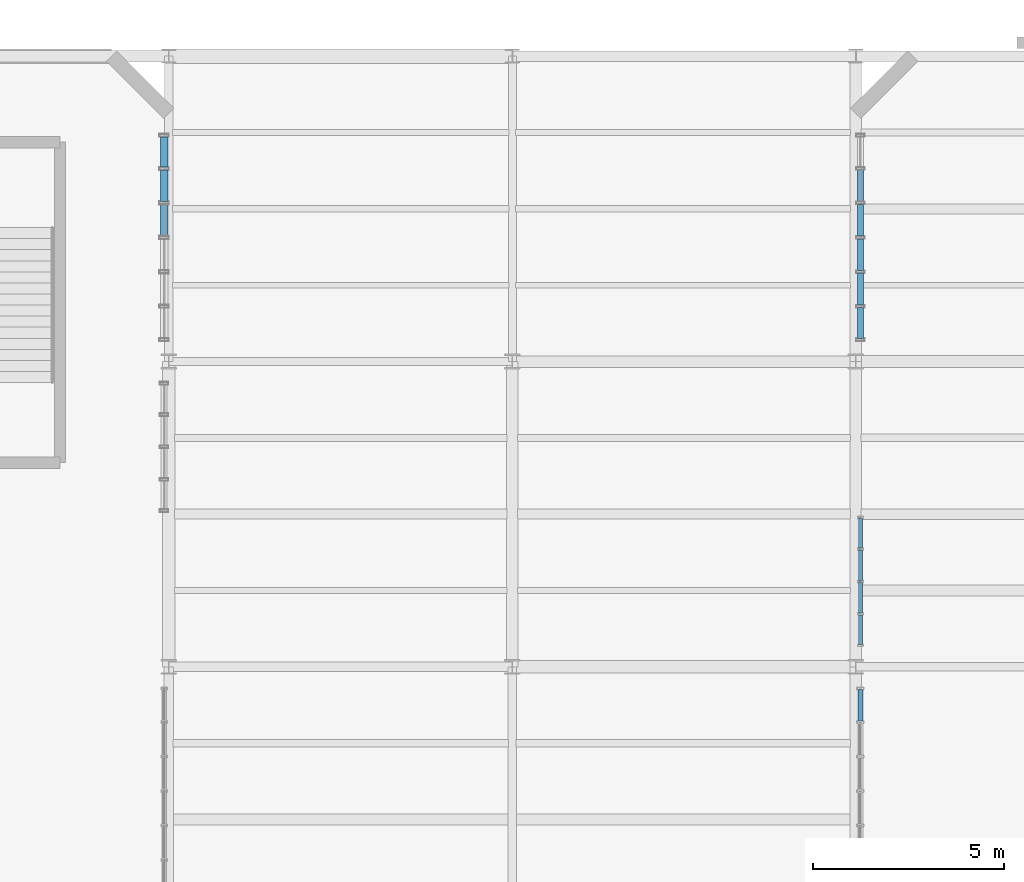
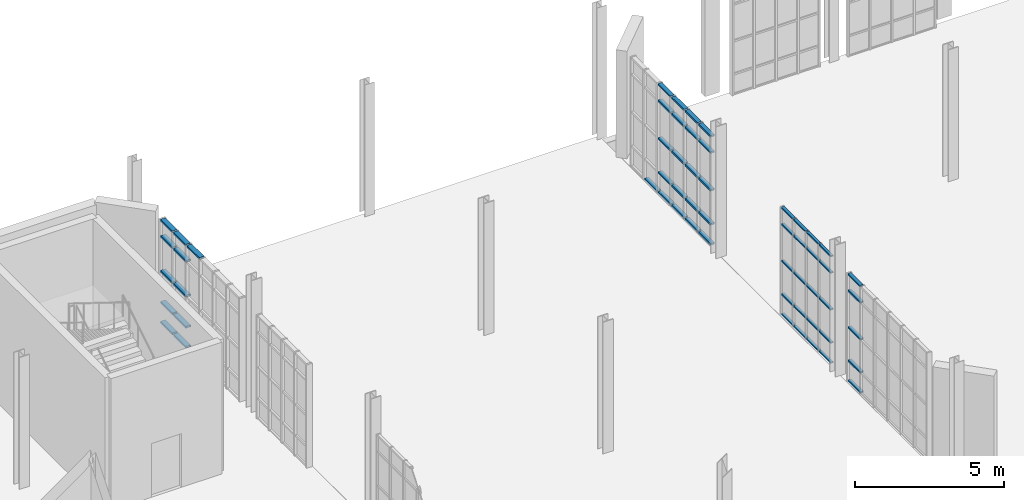
# One storey, part 136 of 189: 57 members, 4 elements without a shape of their own.
"""IFC4 building model written with IfcOpenShell, lengths in metres."""

import ifcopenshell
import ifcopenshell.guid

model = None  # the IFC model being written
_history = None  # IfcOwnerHistory: only IFC2X3 demands one
_inside = {}  # id of a spatial element -> (the spatial element, [elements in it])
_under = {}  # id of a project, library or spatial element -> (it, [spatial elements below it])
_declared = {}  # id of a project -> (the project, [libraries it declares])
_typed = {}  # id of a type object -> (the type object, [elements of that type])
_made_of = {}  # id of a material, layer set ... -> (it, [elements and type objects made of it])


def new_model(schema):
    """Start an empty IFC model of exactly this schema.

    Asked for "IFC4X3", IfcOpenShell would pick the latest addendum, in which some entities
    have other attributes; the version numbers below select the first issue.
    IFC2X3 requires an IfcOwnerHistory on every rooted entity: one is made here for all.
    """
    global model, _history
    if schema == "IFC4X3":
        model = ifcopenshell.file(schema_version=(4, 3, 0, 0))
    else:
        model = ifcopenshell.file(schema=schema)
    _inside.clear()
    _under.clear()
    _declared.clear()
    _typed.clear()
    _made_of.clear()
    _history = None
    if model.schema == "IFC2X3":
        org = make("IfcOrganization", Name="unknown")
        user = make(
            "IfcPersonAndOrganization",
            ThePerson=make("IfcPerson", FamilyName="unknown"),
            TheOrganization=org,
        )
        app = make(
            "IfcApplication",
            ApplicationDeveloper=org,
            Version="unknown",
            ApplicationFullName="unknown",
            ApplicationIdentifier="unknown",
        )
        _history = make(
            "IfcOwnerHistory",
            OwningUser=user,
            OwningApplication=app,
            ChangeAction="ADDED",
            CreationDate=0,
        )
    return model


def make(cls, **values):
    """One entity of the class cls with the attributes given. An attribute that is None is left unset."""
    return model.create_entity(
        cls, **{name: value for name, value in values.items() if value is not None}
    )


def rooted(cls, **values):
    """An entity with a GlobalId (a new one), such as an element, a storey or a relation."""
    return make(cls, GlobalId=ifcopenshell.guid.new(), OwnerHistory=_history, **values)


def si_unit(unit_type, name, prefix=None):
    """IfcSIUnit, for example si_unit("LENGTHUNIT", "METRE", prefix="MILLI")."""
    return make("IfcSIUnit", UnitType=unit_type, Prefix=prefix, Name=name)


def assignment(units):
    """IfcUnitAssignment: the units of a project."""
    return None if units is None else make("IfcUnitAssignment", Units=units)


def point(xyz):
    """IfcCartesianPoint."""
    return None if xyz is None else make("IfcCartesianPoint", Coordinates=xyz)


def direction(xyz):
    """IfcDirection."""
    return None if xyz is None else make("IfcDirection", DirectionRatios=xyz)


def frame(location, z_axis=None, x_axis=None):
    """IfcAxis2Placement3D, a coordinate frame: its origin and axes. An axis left out is left unset."""
    return make(
        "IfcAxis2Placement3D",
        Location=point(location),
        Axis=direction(z_axis),
        RefDirection=direction(x_axis),
    )


def frame_2d(location, x_axis=None):
    """IfcAxis2Placement2D, a coordinate frame in the plane: its origin and x axis."""
    return make(
        "IfcAxis2Placement2D", Location=point(location), RefDirection=direction(x_axis)
    )


def origin():
    """The frame at (0, 0, 0) with its axes left unset."""
    return frame((0.0, 0.0, 0.0))


def origin_2d():
    """The frame at (0, 0) in the plane with its x axis left unset."""
    return frame_2d((0.0, 0.0))


def place(relative_to, where):
    """IfcLocalPlacement: puts the frame where relative to a parent placement (None: the world)."""
    return make(
        "IfcLocalPlacement", PlacementRelTo=relative_to, RelativePlacement=where
    )


def context(
    kind, dimensions, precision=None, world=None, true_north=None, identifier=None
):
    """IfcGeometricRepresentationContext, for example the 3D "Model" context."""
    return make(
        "IfcGeometricRepresentationContext",
        ContextIdentifier=identifier,
        ContextType=kind,
        CoordinateSpaceDimension=dimensions,
        Precision=precision,
        WorldCoordinateSystem=world,
        TrueNorth=true_north,
    )


def subcontext(parent, identifier, kind, view, scale=None):
    """IfcGeometricRepresentationSubContext, for example "Body" below "Model"."""
    return make(
        "IfcGeometricRepresentationSubContext",
        ContextIdentifier=identifier,
        ContextType=kind,
        ParentContext=parent,
        TargetScale=scale,
        TargetView=view,
    )


def project(units=None, contexts=None):
    """IfcProject with its units and contexts."""
    return rooted(
        "IfcProject",
        Name="project",
        RepresentationContexts=contexts,
        UnitsInContext=assignment(units),
    )


def spatial(cls, under=None, at=None, **own):
    """A site, building, storey or space (cls), placed at a placement, below another one or the project."""
    s = rooted(cls, ObjectPlacement=at, **own)
    if under is not None:
        _under.setdefault(under.id(), (under, []))[1].append(s)
    return s


def profile(cls, at=None, kind="AREA", **sizes):
    """A parametric profile (cls). Its sizes go by their IFC names, for example OverallWidth=200.0."""
    return make(cls, ProfileType=kind, Position=at, **sizes)


def hollow_rectangle(**sizes):
    """IfcRectangleHollowProfileDef."""
    return profile("IfcRectangleHollowProfileDef", **sizes)


def extrude(swept, where, along, depth):
    """IfcExtrudedAreaSolid: the profile swept, set in the frame where, extruded along a direction by depth."""
    return make(
        "IfcExtrudedAreaSolid",
        SweptArea=swept,
        Position=where,
        ExtrudedDirection=direction(along),
        Depth=depth,
    )


def shape(context_of_items, identifier, shape_type, items):
    """IfcShapeRepresentation: the items that make up one representation, for example the "Body"."""
    return make(
        "IfcShapeRepresentation",
        ContextOfItems=context_of_items,
        RepresentationIdentifier=identifier,
        RepresentationType=shape_type,
        Items=items,
    )


def material(Name=None, Category=None):
    """IfcMaterial."""
    return make("IfcMaterial", Name=Name, Category=Category)


def layer(
    of_material, thickness, ventilated=None, Name=None, Category=None, Priority=None
):
    """IfcMaterialLayer: one layer of a wall or slab, of a material (None: an air gap)."""
    return make(
        "IfcMaterialLayer",
        Material=of_material,
        LayerThickness=thickness,
        IsVentilated=ventilated,
        Name=Name,
        Category=Category,
        Priority=Priority,
    )


def layer_set(layers, Name=None):
    """IfcMaterialLayerSet."""
    return make("IfcMaterialLayerSet", MaterialLayers=layers, LayerSetName=Name)


def material_profile(
    of_material, cross_section, Name=None, Category=None, Priority=None
):
    """IfcMaterialProfile: a cross section and its material."""
    return make(
        "IfcMaterialProfile",
        Name=Name,
        Material=of_material,
        Profile=cross_section,
        Priority=Priority,
        Category=Category,
    )


def profile_set(profiles, Name=None, composite=None):
    """IfcMaterialProfileSet."""
    return make(
        "IfcMaterialProfileSet",
        Name=Name,
        MaterialProfiles=profiles,
        CompositeProfile=composite,
    )


def made_of(thing, what):
    """Note that an element or type object is made of a material, layer set ...; save() writes the relation."""
    if what is not None:
        _made_of.setdefault(what.id(), (what, []))[1].append(thing)
    return thing


def type_object(cls, material=None, **own):
    """A type object (cls), such as IfcWallType, which elements share."""
    return made_of(rooted(cls, **own), material)


def element(
    cls,
    number,
    at=None,
    inside=None,
    cuts=None,
    type_object=None,
    material=None,
    context=None,
    identifier="Body",
    shape_type=None,
    held_by="IfcProductDefinitionShape",
    body=None,
    shapes=None,
    **own,
):
    """One element of the class cls, such as IfcWall. Its Tag is "e" and its number.

    at: its placement. inside: the storey or other place that contains it. cuts: it is an
    opening in that element (IfcRelVoidsElement). A single representation is given by context,
    identifier, shape_type and body (its items); several are given by shapes. held_by: the class
    of the entity that holds the representations. save() writes the other relations.
    """
    e = rooted(cls, Tag="e%d" % number, ObjectPlacement=at, **own)
    if body is not None:
        shapes = [shape(context, identifier, shape_type, body)]
    if shapes is not None:
        e.Representation = make(held_by, Representations=shapes)
    if inside is not None:
        _inside.setdefault(inside.id(), (inside, []))[1].append(e)
    if cuts is not None:
        rooted(
            "IfcRelVoidsElement", RelatingBuildingElement=cuts, RelatedOpeningElement=e
        )
    if type_object is not None:
        _typed.setdefault(type_object.id(), (type_object, []))[1].append(e)
    return made_of(e, material)


def aggregate(whole, parts):
    """IfcRelAggregates: a whole, such as a stair, and the parts it consists of."""
    return rooted("IfcRelAggregates", RelatingObject=whole, RelatedObjects=parts)


def save(model, path):
    """Write the relations noted so far, then the file.

    IfcRelAggregates (storeys below a building ...), IfcRelContainedInSpatialStructure (elements
    in a storey), IfcRelDefinesByType, IfcRelAssociatesMaterial and IfcRelDeclares: one each for
    every whole, place, type object, material and project.
    """
    for whole, parts in _under.values():
        aggregate(whole, parts)
    for where, things in _inside.values():
        rooted(
            "IfcRelContainedInSpatialStructure",
            RelatedElements=things,
            RelatingStructure=where,
        )
    for kind, things in _typed.values():
        rooted("IfcRelDefinesByType", RelatedObjects=things, RelatingType=kind)
    for what, things in _made_of.values():
        rooted("IfcRelAssociatesMaterial", RelatedObjects=things, RelatingMaterial=what)
    for by, libraries in _declared.values():
        rooted("IfcRelDeclares", RelatingContext=by, RelatedDefinitions=libraries)
    model.write(path)


model = new_model("IFC4")

# Units and contexts
model_context = context("Model", 3, precision=1e-05, world=origin(), true_north=direction((0.0, 1.0)))
body_context = subcontext(model_context, "Body", "Model", "MODEL_VIEW")
ifc_project = project(units=[si_unit("LENGTHUNIT", "METRE"), si_unit("AREAUNIT", "SQUARE_METRE"), si_unit("VOLUMEUNIT", "CUBIC_METRE"), si_unit("PLANEANGLEUNIT", "RADIAN"), si_unit("MASSUNIT", "GRAM", prefix="KILO"), si_unit("THERMODYNAMICTEMPERATUREUNIT", "KELVIN"), si_unit("POWERUNIT", "WATT")], contexts=[model_context])

# Site, building, storey
site_placement = place(None, origin())
site = spatial("IfcSite", under=ifc_project, at=site_placement, CompositionType="ELEMENT")
building_placement = place(site_placement, origin())
building = spatial("IfcBuilding", under=site, at=building_placement, Name="Zelmaris Science Centre", CompositionType="ELEMENT")
storey_placement = place(building_placement, origin())
storey = spatial("IfcBuildingStorey", under=building, at=storey_placement, Name="L00", CompositionType="ELEMENT", Elevation=0.0)

# Curtain wall, members
ifc_material = material(Name="Anodised architectural aluminium 6063-T6", Category="aluminium")
ifc_layer_1 = layer(ifc_material, 0.219970703125, Name="Anodised architectural aluminium 6063-T6")
ifc_layer_set_1 = layer_set([ifc_layer_1], Name="Anodised architectural aluminium 6063-T6")
curtain_wall_type_1 = type_object("IfcCurtainWallType", Name="Curtain Wall CW-04", PredefinedType="USERDEFINED", material=ifc_layer_set_1)
curtain_wall_1_placement = place(storey_placement, origin())
curtain_wall_1 = element("IfcCurtainWall", 1, at=curtain_wall_1_placement, inside=storey, type_object=curtain_wall_type_1, Name="L00 Unitised curtain wall 80", ObjectType="GLAZED CURTAIN WALL", PredefinedType="USERDEFINED")
ifc_material_profile_1 = material_profile(ifc_material, hollow_rectangle(XDim=0.06005859375, YDim=0.110107421875, WallThickness=0.0029296875, at=origin_2d()), Name="ALU-TRN-60X110")
ifc_profile_set_1 = profile_set([ifc_material_profile_1], Name="Anodised architectural aluminium 6063-T6")
member_type_1 = type_object("IfcMemberType", Name="ALU-TRN-60X110", PredefinedType="USERDEFINED", material=ifc_profile_set_1)
member_1_placement = place(storey_placement, frame((90.1201171875, 72.592041015625, 0.010986328125), z_axis=(0.0, 1.0, 0.0), x_axis=(0.0, 0.0, 1.0)))
member_1 = element("IfcMember", 2, at=member_1_placement, type_object=member_type_1, Name="CW-04 transom 1.1", ObjectType="TRANSOM", PredefinedType="USERDEFINED", context=body_context, shape_type="SweptSolid", body=[
    extrude(hollow_rectangle(XDim=0.06005859375, YDim=0.110107421875, WallThickness=0.0029296875, at=origin_2d()), origin(), (0.0, 0.0, 1.0), 0.77197265625),
])
member_2_placement = place(storey_placement, frame((90.1201171875, 72.592041015625, 0.8349609375), z_axis=(0.0, 1.0, 0.0), x_axis=(0.0, 0.0, 1.0)))
member_2 = element("IfcMember", 3, at=member_2_placement, type_object=member_type_1, Name="CW-04 transom 1.2", ObjectType="TRANSOM", PredefinedType="USERDEFINED", context=body_context, shape_type="SweptSolid", body=[
    extrude(hollow_rectangle(XDim=0.06005859375, YDim=0.110107421875, WallThickness=0.0029296875, at=origin_2d()), origin(), (0.0, 0.0, 1.0), 0.77197265625),
])
member_3_placement = place(storey_placement, frame((90.1201171875, 72.592041015625, 2.193603515625), z_axis=(0.0, 1.0, 0.0), x_axis=(0.0, 0.0, 1.0)))
member_3 = element("IfcMember", 4, at=member_3_placement, type_object=member_type_1, Name="CW-04 transom 1.3", ObjectType="TRANSOM", PredefinedType="USERDEFINED", context=body_context, shape_type="SweptSolid", body=[
    extrude(hollow_rectangle(XDim=0.06005859375, YDim=0.110107421875, WallThickness=0.0029296875, at=origin_2d()), origin(), (0.0, 0.0, 1.0), 0.77197265625),
])
member_4_placement = place(storey_placement, frame((90.1201171875, 72.592041015625, 3.701904296875), z_axis=(0.0, 1.0, 0.0), x_axis=(0.0, 0.0, 1.0)))
member_4 = element("IfcMember", 5, at=member_4_placement, type_object=member_type_1, Name="CW-04 transom 1.4", ObjectType="TRANSOM", PredefinedType="USERDEFINED", context=body_context, shape_type="SweptSolid", body=[
    extrude(hollow_rectangle(XDim=0.06005859375, YDim=0.110107421875, WallThickness=0.0029296875, at=origin_2d()), origin(), (0.0, 0.0, 1.0), 0.77197265625),
])
member_5_placement = place(storey_placement, frame((90.1201171875, 72.592041015625, 4.3759765625), z_axis=(0.0, 1.0, 0.0), x_axis=(0.0, 0.0, 1.0)))
member_5 = element("IfcMember", 6, at=member_5_placement, type_object=member_type_1, Name="CW-04 transom 1.5", ObjectType="TRANSOM", PredefinedType="USERDEFINED", context=body_context, shape_type="SweptSolid", body=[
    extrude(hollow_rectangle(XDim=0.06005859375, YDim=0.110107421875, WallThickness=0.0029296875, at=origin_2d()), origin(), (0.0, 0.0, 1.0), 0.77197265625),
])
member_6_placement = place(storey_placement, frame((90.1201171875, 73.416015625, 0.010986328125), z_axis=(0.0, 1.0, 0.0), x_axis=(0.0, 0.0, 1.0)))
member_6 = element("IfcMember", 7, at=member_6_placement, type_object=member_type_1, Name="CW-04 transom 2.1", ObjectType="TRANSOM", PredefinedType="USERDEFINED", context=body_context, shape_type="SweptSolid", body=[
    extrude(hollow_rectangle(XDim=0.06005859375, YDim=0.110107421875, WallThickness=0.0029296875, at=origin_2d()), origin(), (0.0, 0.0, 1.0), 0.798095703125),
])
member_7_placement = place(storey_placement, frame((90.1201171875, 73.416015625, 0.8349609375), z_axis=(0.0, 1.0, 0.0), x_axis=(0.0, 0.0, 1.0)))
member_7 = element("IfcMember", 8, at=member_7_placement, type_object=member_type_1, Name="CW-04 transom 2.2", ObjectType="TRANSOM", PredefinedType="USERDEFINED", context=body_context, shape_type="SweptSolid", body=[
    extrude(hollow_rectangle(XDim=0.06005859375, YDim=0.110107421875, WallThickness=0.0029296875, at=origin_2d()), origin(), (0.0, 0.0, 1.0), 0.798095703125),
])
member_8_placement = place(storey_placement, frame((90.1201171875, 73.416015625, 2.193603515625), z_axis=(0.0, 1.0, 0.0), x_axis=(0.0, 0.0, 1.0)))
member_8 = element("IfcMember", 9, at=member_8_placement, type_object=member_type_1, Name="CW-04 transom 2.3", ObjectType="TRANSOM", PredefinedType="USERDEFINED", context=body_context, shape_type="SweptSolid", body=[
    extrude(hollow_rectangle(XDim=0.06005859375, YDim=0.110107421875, WallThickness=0.0029296875, at=origin_2d()), origin(), (0.0, 0.0, 1.0), 0.798095703125),
])
member_9_placement = place(storey_placement, frame((90.1201171875, 73.416015625, 3.701904296875), z_axis=(0.0, 1.0, 0.0), x_axis=(0.0, 0.0, 1.0)))
member_9 = element("IfcMember", 10, at=member_9_placement, type_object=member_type_1, Name="CW-04 transom 2.4", ObjectType="TRANSOM", PredefinedType="USERDEFINED", context=body_context, shape_type="SweptSolid", body=[
    extrude(hollow_rectangle(XDim=0.06005859375, YDim=0.110107421875, WallThickness=0.0029296875, at=origin_2d()), origin(), (0.0, 0.0, 1.0), 0.798095703125),
])
member_10_placement = place(storey_placement, frame((90.1201171875, 73.416015625, 4.3759765625), z_axis=(0.0, 1.0, 0.0), x_axis=(0.0, 0.0, 1.0)))
member_10 = element("IfcMember", 11, at=member_10_placement, type_object=member_type_1, Name="CW-04 transom 2.5", ObjectType="TRANSOM", PredefinedType="USERDEFINED", context=body_context, shape_type="SweptSolid", body=[
    extrude(hollow_rectangle(XDim=0.06005859375, YDim=0.110107421875, WallThickness=0.0029296875, at=origin_2d()), origin(), (0.0, 0.0, 1.0), 0.798095703125),
])
member_11_placement = place(storey_placement, frame((90.1201171875, 74.26611328125, 0.010986328125), z_axis=(0.0, 1.0, 0.0), x_axis=(0.0, 0.0, 1.0)))
member_11 = element("IfcMember", 12, at=member_11_placement, type_object=member_type_1, Name="CW-04 transom 3.1", ObjectType="TRANSOM", PredefinedType="USERDEFINED", context=body_context, shape_type="SweptSolid", body=[
    extrude(hollow_rectangle(XDim=0.06005859375, YDim=0.110107421875, WallThickness=0.0029296875, at=origin_2d()), origin(), (0.0, 0.0, 1.0), 0.7978515625),
])
member_12_placement = place(storey_placement, frame((90.1201171875, 74.26611328125, 0.8349609375), z_axis=(0.0, 1.0, 0.0), x_axis=(0.0, 0.0, 1.0)))
member_12 = element("IfcMember", 13, at=member_12_placement, type_object=member_type_1, Name="CW-04 transom 3.2", ObjectType="TRANSOM", PredefinedType="USERDEFINED", context=body_context, shape_type="SweptSolid", body=[
    extrude(hollow_rectangle(XDim=0.06005859375, YDim=0.110107421875, WallThickness=0.0029296875, at=origin_2d()), origin(), (0.0, 0.0, 1.0), 0.7978515625),
])
member_13_placement = place(storey_placement, frame((90.1201171875, 74.26611328125, 2.193603515625), z_axis=(0.0, 1.0, 0.0), x_axis=(0.0, 0.0, 1.0)))
member_13 = element("IfcMember", 14, at=member_13_placement, type_object=member_type_1, Name="CW-04 transom 3.3", ObjectType="TRANSOM", PredefinedType="USERDEFINED", context=body_context, shape_type="SweptSolid", body=[
    extrude(hollow_rectangle(XDim=0.06005859375, YDim=0.110107421875, WallThickness=0.0029296875, at=origin_2d()), origin(), (0.0, 0.0, 1.0), 0.7978515625),
])
member_14_placement = place(storey_placement, frame((90.1201171875, 74.26611328125, 3.701904296875), z_axis=(0.0, 1.0, 0.0), x_axis=(0.0, 0.0, 1.0)))
member_14 = element("IfcMember", 15, at=member_14_placement, type_object=member_type_1, Name="CW-04 transom 3.4", ObjectType="TRANSOM", PredefinedType="USERDEFINED", context=body_context, shape_type="SweptSolid", body=[
    extrude(hollow_rectangle(XDim=0.06005859375, YDim=0.110107421875, WallThickness=0.0029296875, at=origin_2d()), origin(), (0.0, 0.0, 1.0), 0.7978515625),
])
member_15_placement = place(storey_placement, frame((90.1201171875, 74.26611328125, 4.3759765625), z_axis=(0.0, 1.0, 0.0), x_axis=(0.0, 0.0, 1.0)))
member_15 = element("IfcMember", 16, at=member_15_placement, type_object=member_type_1, Name="CW-04 transom 3.5", ObjectType="TRANSOM", PredefinedType="USERDEFINED", context=body_context, shape_type="SweptSolid", body=[
    extrude(hollow_rectangle(XDim=0.06005859375, YDim=0.110107421875, WallThickness=0.0029296875, at=origin_2d()), origin(), (0.0, 0.0, 1.0), 0.7978515625),
])
member_16_placement = place(storey_placement, frame((90.1201171875, 75.115966796875, 0.010986328125), z_axis=(0.0, 1.0, 0.0), x_axis=(0.0, 0.0, 1.0)))
member_16 = element("IfcMember", 17, at=member_16_placement, type_object=member_type_1, Name="CW-04 transom 4.1", ObjectType="TRANSOM", PredefinedType="USERDEFINED", context=body_context, shape_type="SweptSolid", body=[
    extrude(hollow_rectangle(XDim=0.06005859375, YDim=0.110107421875, WallThickness=0.0029296875, at=origin_2d()), origin(), (0.0, 0.0, 1.0), 0.77197265625),
])
member_17_placement = place(storey_placement, frame((90.1201171875, 75.115966796875, 0.8349609375), z_axis=(0.0, 1.0, 0.0), x_axis=(0.0, 0.0, 1.0)))
member_17 = element("IfcMember", 18, at=member_17_placement, type_object=member_type_1, Name="CW-04 transom 4.2", ObjectType="TRANSOM", PredefinedType="USERDEFINED", context=body_context, shape_type="SweptSolid", body=[
    extrude(hollow_rectangle(XDim=0.06005859375, YDim=0.110107421875, WallThickness=0.0029296875, at=origin_2d()), origin(), (0.0, 0.0, 1.0), 0.77197265625),
])
member_18_placement = place(storey_placement, frame((90.1201171875, 75.115966796875, 2.193603515625), z_axis=(0.0, 1.0, 0.0), x_axis=(0.0, 0.0, 1.0)))
member_18 = element("IfcMember", 19, at=member_18_placement, type_object=member_type_1, Name="CW-04 transom 4.3", ObjectType="TRANSOM", PredefinedType="USERDEFINED", context=body_context, shape_type="SweptSolid", body=[
    extrude(hollow_rectangle(XDim=0.06005859375, YDim=0.110107421875, WallThickness=0.0029296875, at=origin_2d()), origin(), (0.0, 0.0, 1.0), 0.77197265625),
])
member_19_placement = place(storey_placement, frame((90.1201171875, 75.115966796875, 3.701904296875), z_axis=(0.0, 1.0, 0.0), x_axis=(0.0, 0.0, 1.0)))
member_19 = element("IfcMember", 20, at=member_19_placement, type_object=member_type_1, Name="CW-04 transom 4.4", ObjectType="TRANSOM", PredefinedType="USERDEFINED", context=body_context, shape_type="SweptSolid", body=[
    extrude(hollow_rectangle(XDim=0.06005859375, YDim=0.110107421875, WallThickness=0.0029296875, at=origin_2d()), origin(), (0.0, 0.0, 1.0), 0.77197265625),
])
member_20_placement = place(storey_placement, frame((90.1201171875, 75.115966796875, 4.3759765625), z_axis=(0.0, 1.0, 0.0), x_axis=(0.0, 0.0, 1.0)))
member_20 = element("IfcMember", 21, at=member_20_placement, type_object=member_type_1, Name="CW-04 transom 4.5", ObjectType="TRANSOM", PredefinedType="USERDEFINED", context=body_context, shape_type="SweptSolid", body=[
    extrude(hollow_rectangle(XDim=0.06005859375, YDim=0.110107421875, WallThickness=0.0029296875, at=origin_2d()), origin(), (0.0, 0.0, 1.0), 0.77197265625),
])
aggregate(curtain_wall_1, [member_1, member_2, member_3, member_4, member_5, member_6, member_7, member_8, member_9, member_10, member_11, member_12, member_13, member_14, member_15, member_16, member_17, member_18, member_19, member_20])

ifc_layer_2 = layer(ifc_material, 0.2099609375, Name="Anodised architectural aluminium 6063-T6")
ifc_layer_set_2 = layer_set([ifc_layer_2], Name="Anodised architectural aluminium 6063-T6")
curtain_wall_type_2 = type_object("IfcCurtainWallType", Name="Curtain Wall CW-03", PredefinedType="USERDEFINED", material=ifc_layer_set_2)
curtain_wall_2_placement = place(storey_placement, origin())
curtain_wall_2 = element("IfcCurtainWall", 22, at=curtain_wall_2_placement, inside=storey, type_object=curtain_wall_type_2, Name="L00 Unitised curtain wall 79", ObjectType="GLAZED CURTAIN WALL", PredefinedType="USERDEFINED")
ifc_material_profile_2 = material_profile(ifc_material, hollow_rectangle(XDim=0.06494140625, YDim=0.1298828125, WallThickness=0.00341796875, at=origin_2d()), Name="ALU-TRN-65X130")
ifc_profile_set_2 = profile_set([ifc_material_profile_2], Name="Anodised architectural aluminium 6063-T6")
member_type_2 = type_object("IfcMemberType", Name="ALU-TRN-65X130", PredefinedType="USERDEFINED", material=ifc_profile_set_2)
member_21_placement = place(storey_placement, frame((90.1201171875, 70.585205078125, 0.013427734375), z_axis=(0.0, 1.0, 0.0), x_axis=(0.0, 0.0, 1.0)))
member_21 = element("IfcMember", 23, at=member_21_placement, type_object=member_type_2, Name="CW-03 transom 6.1", ObjectType="TRANSOM", PredefinedType="USERDEFINED", context=body_context, shape_type="SweptSolid", body=[
    extrude(hollow_rectangle(XDim=0.06494140625, YDim=0.1298828125, WallThickness=0.00341796875, at=origin_2d()), origin(), (0.0, 0.0, 1.0), 0.81787109375),
])
member_22_placement = place(storey_placement, frame((90.1201171875, 70.585205078125, 0.8349609375), z_axis=(0.0, 1.0, 0.0), x_axis=(0.0, 0.0, 1.0)))
member_22 = element("IfcMember", 24, at=member_22_placement, type_object=member_type_2, Name="CW-03 transom 6.2", ObjectType="TRANSOM", PredefinedType="USERDEFINED", context=body_context, shape_type="SweptSolid", body=[
    extrude(hollow_rectangle(XDim=0.06494140625, YDim=0.1298828125, WallThickness=0.00341796875, at=origin_2d()), origin(), (0.0, 0.0, 1.0), 0.81787109375),
])
member_23_placement = place(storey_placement, frame((90.1201171875, 70.585205078125, 2.193603515625), z_axis=(0.0, 1.0, 0.0), x_axis=(0.0, 0.0, 1.0)))
member_23 = element("IfcMember", 25, at=member_23_placement, type_object=member_type_2, Name="CW-03 transom 6.3", ObjectType="TRANSOM", PredefinedType="USERDEFINED", context=body_context, shape_type="SweptSolid", body=[
    extrude(hollow_rectangle(XDim=0.06494140625, YDim=0.1298828125, WallThickness=0.00341796875, at=origin_2d()), origin(), (0.0, 0.0, 1.0), 0.81787109375),
])
member_24_placement = place(storey_placement, frame((90.1201171875, 70.585205078125, 3.701904296875), z_axis=(0.0, 1.0, 0.0), x_axis=(0.0, 0.0, 1.0)))
member_24 = element("IfcMember", 26, at=member_24_placement, type_object=member_type_2, Name="CW-03 transom 6.4", ObjectType="TRANSOM", PredefinedType="USERDEFINED", context=body_context, shape_type="SweptSolid", body=[
    extrude(hollow_rectangle(XDim=0.06494140625, YDim=0.1298828125, WallThickness=0.00341796875, at=origin_2d()), origin(), (0.0, 0.0, 1.0), 0.81787109375),
])
member_25_placement = place(storey_placement, frame((90.1201171875, 70.585205078125, 4.37353515625), z_axis=(0.0, 1.0, 0.0), x_axis=(0.0, 0.0, 1.0)))
member_25 = element("IfcMember", 27, at=member_25_placement, type_object=member_type_2, Name="CW-03 transom 6.5", ObjectType="TRANSOM", PredefinedType="USERDEFINED", context=body_context, shape_type="SweptSolid", body=[
    extrude(hollow_rectangle(XDim=0.06494140625, YDim=0.1298828125, WallThickness=0.00341796875, at=origin_2d()), origin(), (0.0, 0.0, 1.0), 0.81787109375),
])
aggregate(curtain_wall_2, [member_21, member_22, member_23, member_24, member_25])

ifc_layer_3 = layer(ifc_material, 0.199951171875, Name="Anodised architectural aluminium 6063-T6")
ifc_layer_set_3 = layer_set([ifc_layer_3], Name="Anodised architectural aluminium 6063-T6")
curtain_wall_type_3 = type_object("IfcCurtainWallType", Name="Curtain Wall CW-02", PredefinedType="USERDEFINED", material=ifc_layer_set_3)
curtain_wall_3_placement = place(storey_placement, origin())
curtain_wall_3 = element("IfcCurtainWall", 28, at=curtain_wall_3_placement, inside=storey, type_object=curtain_wall_type_3, Name="L00 Unitised curtain wall 82", ObjectType="GLAZED CURTAIN WALL", PredefinedType="USERDEFINED")
ifc_material_profile_3 = material_profile(ifc_material, hollow_rectangle(XDim=0.074951171875, YDim=0.159912109375, WallThickness=0.00390625, at=origin_2d()), Name="ALU-TRN-75X160")
ifc_profile_set_3 = profile_set([ifc_material_profile_3], Name="Anodised architectural aluminium 6063-T6")
member_type_3 = type_object("IfcMemberType", Name="ALU-TRN-75X160", PredefinedType="USERDEFINED", material=ifc_profile_set_3)
member_26_placement = place(storey_placement, frame((90.1201171875, 80.60693359375, 0.0185546875), z_axis=(0.0, 1.0, 0.0), x_axis=(0.0, 0.0, 1.0)))
member_26 = element("IfcMember", 29, at=member_26_placement, type_object=member_type_3, Name="CW-02 transom 1.1", ObjectType="TRANSOM", PredefinedType="USERDEFINED", context=body_context, shape_type="SweptSolid", body=[
    extrude(hollow_rectangle(XDim=0.074951171875, YDim=0.159912109375, WallThickness=0.00390625, at=origin_2d()), origin(), (0.0, 0.0, 1.0), 0.802978515625),
])
member_27_placement = place(storey_placement, frame((90.1201171875, 80.60693359375, 0.8349609375), z_axis=(0.0, 1.0, 0.0), x_axis=(0.0, 0.0, 1.0)))
member_27 = element("IfcMember", 30, at=member_27_placement, type_object=member_type_3, Name="CW-02 transom 1.2", ObjectType="TRANSOM", PredefinedType="USERDEFINED", context=body_context, shape_type="SweptSolid", body=[
    extrude(hollow_rectangle(XDim=0.074951171875, YDim=0.159912109375, WallThickness=0.00390625, at=origin_2d()), origin(), (0.0, 0.0, 1.0), 0.802978515625),
])
member_28_placement = place(storey_placement, frame((90.1201171875, 80.60693359375, 2.22900390625), z_axis=(0.0, 1.0, 0.0), x_axis=(0.0, 0.0, 1.0)))
member_28 = element("IfcMember", 31, at=member_28_placement, type_object=member_type_3, Name="CW-02 transom 1.3", ObjectType="TRANSOM", PredefinedType="USERDEFINED", context=body_context, shape_type="SweptSolid", body=[
    extrude(hollow_rectangle(XDim=0.074951171875, YDim=0.159912109375, WallThickness=0.00390625, at=origin_2d()), origin(), (0.0, 0.0, 1.0), 0.802978515625),
])
member_29_placement = place(storey_placement, frame((90.1201171875, 80.60693359375, 3.77294921875), z_axis=(0.0, 1.0, 0.0), x_axis=(0.0, 0.0, 1.0)))
member_29 = element("IfcMember", 32, at=member_29_placement, type_object=member_type_3, Name="CW-02 transom 1.4", ObjectType="TRANSOM", PredefinedType="USERDEFINED", context=body_context, shape_type="SweptSolid", body=[
    extrude(hollow_rectangle(XDim=0.074951171875, YDim=0.159912109375, WallThickness=0.00390625, at=origin_2d()), origin(), (0.0, 0.0, 1.0), 0.802978515625),
])
member_30_placement = place(storey_placement, frame((90.1201171875, 80.60693359375, 4.439453125), z_axis=(0.0, 1.0, 0.0), x_axis=(0.0, 0.0, 1.0)))
member_30 = element("IfcMember", 33, at=member_30_placement, type_object=member_type_3, Name="CW-02 transom 1.5", ObjectType="TRANSOM", PredefinedType="USERDEFINED", context=body_context, shape_type="SweptSolid", body=[
    extrude(hollow_rectangle(XDim=0.074951171875, YDim=0.159912109375, WallThickness=0.00390625, at=origin_2d()), origin(), (0.0, 0.0, 1.0), 0.802978515625),
])
member_31_placement = place(storey_placement, frame((90.1201171875, 81.476806640625, 0.0185546875), z_axis=(0.0, 1.0, 0.0), x_axis=(0.0, 0.0, 1.0)))
member_31 = element("IfcMember", 34, at=member_31_placement, type_object=member_type_3, Name="CW-02 transom 2.1", ObjectType="TRANSOM", PredefinedType="USERDEFINED", context=body_context, shape_type="SweptSolid", body=[
    extrude(hollow_rectangle(XDim=0.074951171875, YDim=0.159912109375, WallThickness=0.00390625, at=origin_2d()), origin(), (0.0, 0.0, 1.0), 0.83642578125),
])
member_32_placement = place(storey_placement, frame((90.1201171875, 81.476806640625, 0.8349609375), z_axis=(0.0, 1.0, 0.0), x_axis=(0.0, 0.0, 1.0)))
member_32 = element("IfcMember", 35, at=member_32_placement, type_object=member_type_3, Name="CW-02 transom 2.2", ObjectType="TRANSOM", PredefinedType="USERDEFINED", context=body_context, shape_type="SweptSolid", body=[
    extrude(hollow_rectangle(XDim=0.074951171875, YDim=0.159912109375, WallThickness=0.00390625, at=origin_2d()), origin(), (0.0, 0.0, 1.0), 0.83642578125),
])
member_33_placement = place(storey_placement, frame((90.1201171875, 81.476806640625, 2.22900390625), z_axis=(0.0, 1.0, 0.0), x_axis=(0.0, 0.0, 1.0)))
member_33 = element("IfcMember", 36, at=member_33_placement, type_object=member_type_3, Name="CW-02 transom 2.3", ObjectType="TRANSOM", PredefinedType="USERDEFINED", context=body_context, shape_type="SweptSolid", body=[
    extrude(hollow_rectangle(XDim=0.074951171875, YDim=0.159912109375, WallThickness=0.00390625, at=origin_2d()), origin(), (0.0, 0.0, 1.0), 0.83642578125),
])
member_34_placement = place(storey_placement, frame((90.1201171875, 81.476806640625, 3.77294921875), z_axis=(0.0, 1.0, 0.0), x_axis=(0.0, 0.0, 1.0)))
member_34 = element("IfcMember", 37, at=member_34_placement, type_object=member_type_3, Name="CW-02 transom 2.4", ObjectType="TRANSOM", PredefinedType="USERDEFINED", context=body_context, shape_type="SweptSolid", body=[
    extrude(hollow_rectangle(XDim=0.074951171875, YDim=0.159912109375, WallThickness=0.00390625, at=origin_2d()), origin(), (0.0, 0.0, 1.0), 0.83642578125),
])
member_35_placement = place(storey_placement, frame((90.1201171875, 81.476806640625, 4.439453125), z_axis=(0.0, 1.0, 0.0), x_axis=(0.0, 0.0, 1.0)))
member_35 = element("IfcMember", 38, at=member_35_placement, type_object=member_type_3, Name="CW-02 transom 2.5", ObjectType="TRANSOM", PredefinedType="USERDEFINED", context=body_context, shape_type="SweptSolid", body=[
    extrude(hollow_rectangle(XDim=0.074951171875, YDim=0.159912109375, WallThickness=0.00390625, at=origin_2d()), origin(), (0.0, 0.0, 1.0), 0.83642578125),
])
member_36_placement = place(storey_placement, frame((90.1201171875, 82.380126953125, 0.0185546875), z_axis=(0.0, 1.0, 0.0), x_axis=(0.0, 0.0, 1.0)))
member_36 = element("IfcMember", 39, at=member_36_placement, type_object=member_type_3, Name="CW-02 transom 3.1", ObjectType="TRANSOM", PredefinedType="USERDEFINED", context=body_context, shape_type="SweptSolid", body=[
    extrude(hollow_rectangle(XDim=0.074951171875, YDim=0.159912109375, WallThickness=0.00390625, at=origin_2d()), origin(), (0.0, 0.0, 1.0), 0.83642578125),
])
member_37_placement = place(storey_placement, frame((90.1201171875, 82.380126953125, 0.8349609375), z_axis=(0.0, 1.0, 0.0), x_axis=(0.0, 0.0, 1.0)))
member_37 = element("IfcMember", 40, at=member_37_placement, type_object=member_type_3, Name="CW-02 transom 3.2", ObjectType="TRANSOM", PredefinedType="USERDEFINED", context=body_context, shape_type="SweptSolid", body=[
    extrude(hollow_rectangle(XDim=0.074951171875, YDim=0.159912109375, WallThickness=0.00390625, at=origin_2d()), origin(), (0.0, 0.0, 1.0), 0.83642578125),
])
member_38_placement = place(storey_placement, frame((90.1201171875, 82.380126953125, 2.22900390625), z_axis=(0.0, 1.0, 0.0), x_axis=(0.0, 0.0, 1.0)))
member_38 = element("IfcMember", 41, at=member_38_placement, type_object=member_type_3, Name="CW-02 transom 3.3", ObjectType="TRANSOM", PredefinedType="USERDEFINED", context=body_context, shape_type="SweptSolid", body=[
    extrude(hollow_rectangle(XDim=0.074951171875, YDim=0.159912109375, WallThickness=0.00390625, at=origin_2d()), origin(), (0.0, 0.0, 1.0), 0.83642578125),
])
member_39_placement = place(storey_placement, frame((90.1201171875, 82.380126953125, 3.77294921875), z_axis=(0.0, 1.0, 0.0), x_axis=(0.0, 0.0, 1.0)))
member_39 = element("IfcMember", 42, at=member_39_placement, type_object=member_type_3, Name="CW-02 transom 3.4", ObjectType="TRANSOM", PredefinedType="USERDEFINED", context=body_context, shape_type="SweptSolid", body=[
    extrude(hollow_rectangle(XDim=0.074951171875, YDim=0.159912109375, WallThickness=0.00390625, at=origin_2d()), origin(), (0.0, 0.0, 1.0), 0.83642578125),
])
member_40_placement = place(storey_placement, frame((90.1201171875, 82.380126953125, 4.439453125), z_axis=(0.0, 1.0, 0.0), x_axis=(0.0, 0.0, 1.0)))
member_40 = element("IfcMember", 43, at=member_40_placement, type_object=member_type_3, Name="CW-02 transom 3.5", ObjectType="TRANSOM", PredefinedType="USERDEFINED", context=body_context, shape_type="SweptSolid", body=[
    extrude(hollow_rectangle(XDim=0.074951171875, YDim=0.159912109375, WallThickness=0.00390625, at=origin_2d()), origin(), (0.0, 0.0, 1.0), 0.83642578125),
])
member_41_placement = place(storey_placement, frame((90.1201171875, 83.283447265625, 0.0185546875), z_axis=(0.0, 1.0, 0.0), x_axis=(0.0, 0.0, 1.0)))
member_41 = element("IfcMember", 44, at=member_41_placement, type_object=member_type_3, Name="CW-02 transom 4.1", ObjectType="TRANSOM", PredefinedType="USERDEFINED", context=body_context, shape_type="SweptSolid", body=[
    extrude(hollow_rectangle(XDim=0.074951171875, YDim=0.159912109375, WallThickness=0.00390625, at=origin_2d()), origin(), (0.0, 0.0, 1.0), 0.83642578125),
])
member_42_placement = place(storey_placement, frame((90.1201171875, 83.283447265625, 0.8349609375), z_axis=(0.0, 1.0, 0.0), x_axis=(0.0, 0.0, 1.0)))
member_42 = element("IfcMember", 45, at=member_42_placement, type_object=member_type_3, Name="CW-02 transom 4.2", ObjectType="TRANSOM", PredefinedType="USERDEFINED", context=body_context, shape_type="SweptSolid", body=[
    extrude(hollow_rectangle(XDim=0.074951171875, YDim=0.159912109375, WallThickness=0.00390625, at=origin_2d()), origin(), (0.0, 0.0, 1.0), 0.83642578125),
])
member_43_placement = place(storey_placement, frame((90.1201171875, 83.283447265625, 2.22900390625), z_axis=(0.0, 1.0, 0.0), x_axis=(0.0, 0.0, 1.0)))
member_43 = element("IfcMember", 46, at=member_43_placement, type_object=member_type_3, Name="CW-02 transom 4.3", ObjectType="TRANSOM", PredefinedType="USERDEFINED", context=body_context, shape_type="SweptSolid", body=[
    extrude(hollow_rectangle(XDim=0.074951171875, YDim=0.159912109375, WallThickness=0.00390625, at=origin_2d()), origin(), (0.0, 0.0, 1.0), 0.83642578125),
])
member_44_placement = place(storey_placement, frame((90.1201171875, 83.283447265625, 3.77294921875), z_axis=(0.0, 1.0, 0.0), x_axis=(0.0, 0.0, 1.0)))
member_44 = element("IfcMember", 47, at=member_44_placement, type_object=member_type_3, Name="CW-02 transom 4.4", ObjectType="TRANSOM", PredefinedType="USERDEFINED", context=body_context, shape_type="SweptSolid", body=[
    extrude(hollow_rectangle(XDim=0.074951171875, YDim=0.159912109375, WallThickness=0.00390625, at=origin_2d()), origin(), (0.0, 0.0, 1.0), 0.83642578125),
])
member_45_placement = place(storey_placement, frame((90.1201171875, 83.283447265625, 4.439453125), z_axis=(0.0, 1.0, 0.0), x_axis=(0.0, 0.0, 1.0)))
member_45 = element("IfcMember", 48, at=member_45_placement, type_object=member_type_3, Name="CW-02 transom 4.5", ObjectType="TRANSOM", PredefinedType="USERDEFINED", context=body_context, shape_type="SweptSolid", body=[
    extrude(hollow_rectangle(XDim=0.074951171875, YDim=0.159912109375, WallThickness=0.00390625, at=origin_2d()), origin(), (0.0, 0.0, 1.0), 0.83642578125),
])
member_46_placement = place(storey_placement, frame((90.1201171875, 84.186767578125, 0.0185546875), z_axis=(0.0, 1.0, 0.0), x_axis=(0.0, 0.0, 1.0)))
member_46 = element("IfcMember", 49, at=member_46_placement, type_object=member_type_3, Name="CW-02 transom 5.1", ObjectType="TRANSOM", PredefinedType="USERDEFINED", context=body_context, shape_type="SweptSolid", body=[
    extrude(hollow_rectangle(XDim=0.074951171875, YDim=0.159912109375, WallThickness=0.00390625, at=origin_2d()), origin(), (0.0, 0.0, 1.0), 0.83642578125),
])
aggregate(curtain_wall_3, [member_26, member_27, member_28, member_29, member_30, member_31, member_32, member_33, member_34, member_35, member_36, member_37, member_38, member_39, member_40, member_41, member_42, member_43, member_44, member_45, member_46])

ifc_layer_4 = layer(ifc_material, 0.18994140625, Name="Anodised architectural aluminium 6063-T6")
ifc_layer_set_4 = layer_set([ifc_layer_4], Name="Anodised architectural aluminium 6063-T6")
curtain_wall_type_4 = type_object("IfcCurtainWallType", Name="Curtain Wall CW-01", PredefinedType="USERDEFINED", material=ifc_layer_set_4)
curtain_wall_4_placement = place(storey_placement, origin())
curtain_wall_4 = element("IfcCurtainWall", 50, at=curtain_wall_4_placement, inside=storey, type_object=curtain_wall_type_4, Name="L00 Unitised curtain wall 29", ObjectType="GLAZED CURTAIN WALL", PredefinedType="USERDEFINED")
ifc_material_profile_4 = material_profile(ifc_material, hollow_rectangle(XDim=0.080078125, YDim=0.18994140625, WallThickness=0.00439453125, at=origin_2d()), Name="ALU-TRN-80X190")
ifc_profile_set_4 = profile_set([ifc_material_profile_4], Name="Anodised architectural aluminium 6063-T6")
member_type_4 = type_object("IfcMemberType", Name="ALU-TRN-80X190", PredefinedType="USERDEFINED", material=ifc_profile_set_4)
member_47_placement = place(storey_placement, frame((71.8798828125, 85.887939453125, 0.02099609375), z_axis=(0.0, -1.0, 0.0), x_axis=(0.0, 0.0, 1.0)))
member_47 = element("IfcMember", 51, at=member_47_placement, type_object=member_type_4, Name="CW-01 transom 1.1", ObjectType="TRANSOM", PredefinedType="USERDEFINED", context=body_context, shape_type="SweptSolid", body=[
    extrude(hollow_rectangle(XDim=0.080078125, YDim=0.18994140625, WallThickness=0.00439453125, at=origin_2d()), origin(), (0.0, 0.0, 1.0), 0.795166015625),
])
member_48_placement = place(storey_placement, frame((71.8798828125, 85.887939453125, 0.8349609375), z_axis=(0.0, -1.0, 0.0), x_axis=(0.0, 0.0, 1.0)))
member_48 = element("IfcMember", 52, at=member_48_placement, type_object=member_type_4, Name="CW-01 transom 1.2", ObjectType="TRANSOM", PredefinedType="USERDEFINED", context=body_context, shape_type="SweptSolid", body=[
    extrude(hollow_rectangle(XDim=0.080078125, YDim=0.18994140625, WallThickness=0.00439453125, at=origin_2d()), origin(), (0.0, 0.0, 1.0), 0.795166015625),
])
member_49_placement = place(storey_placement, frame((71.8798828125, 85.887939453125, 2.109619140625), z_axis=(0.0, -1.0, 0.0), x_axis=(0.0, 0.0, 1.0)))
member_49 = element("IfcMember", 53, at=member_49_placement, type_object=member_type_4, Name="CW-01 transom 1.3", ObjectType="TRANSOM", PredefinedType="USERDEFINED", context=body_context, shape_type="SweptSolid", body=[
    extrude(hollow_rectangle(XDim=0.080078125, YDim=0.18994140625, WallThickness=0.00439453125, at=origin_2d()), origin(), (0.0, 0.0, 1.0), 0.795166015625),
])
member_50_placement = place(storey_placement, frame((71.8798828125, 85.887939453125, 3.533935546875), z_axis=(0.0, -1.0, 0.0), x_axis=(0.0, 0.0, 1.0)))
member_50 = element("IfcMember", 54, at=member_50_placement, type_object=member_type_4, Name="CW-01 transom 1.4", ObjectType="TRANSOM", PredefinedType="USERDEFINED", context=body_context, shape_type="SweptSolid", body=[
    extrude(hollow_rectangle(XDim=0.080078125, YDim=0.18994140625, WallThickness=0.00439453125, at=origin_2d()), origin(), (0.0, 0.0, 1.0), 0.795166015625),
])
member_51_placement = place(storey_placement, frame((71.8798828125, 85.887939453125, 4.197998046875), z_axis=(0.0, -1.0, 0.0), x_axis=(0.0, 0.0, 1.0)))
member_51 = element("IfcMember", 55, at=member_51_placement, type_object=member_type_4, Name="CW-01 transom 1.5", ObjectType="TRANSOM", PredefinedType="USERDEFINED", context=body_context, shape_type="SweptSolid", body=[
    extrude(hollow_rectangle(XDim=0.080078125, YDim=0.18994140625, WallThickness=0.00439453125, at=origin_2d()), origin(), (0.0, 0.0, 1.0), 0.795166015625),
])
member_52_placement = place(storey_placement, frame((71.8798828125, 85.020751953125, 0.02099609375), z_axis=(0.0, -1.0, 0.0), x_axis=(0.0, 0.0, 1.0)))
member_52 = element("IfcMember", 56, at=member_52_placement, type_object=member_type_4, Name="CW-01 transom 2.1", ObjectType="TRANSOM", PredefinedType="USERDEFINED", context=body_context, shape_type="SweptSolid", body=[
    extrude(hollow_rectangle(XDim=0.080078125, YDim=0.18994140625, WallThickness=0.00439453125, at=origin_2d()), origin(), (0.0, 0.0, 1.0), 0.831298828125),
])
member_53_placement = place(storey_placement, frame((71.8798828125, 85.020751953125, 0.8349609375), z_axis=(0.0, -1.0, 0.0), x_axis=(0.0, 0.0, 1.0)))
member_53 = element("IfcMember", 57, at=member_53_placement, type_object=member_type_4, Name="CW-01 transom 2.2", ObjectType="TRANSOM", PredefinedType="USERDEFINED", context=body_context, shape_type="SweptSolid", body=[
    extrude(hollow_rectangle(XDim=0.080078125, YDim=0.18994140625, WallThickness=0.00439453125, at=origin_2d()), origin(), (0.0, 0.0, 1.0), 0.831298828125),
])
member_54_placement = place(storey_placement, frame((71.8798828125, 85.020751953125, 2.109619140625), z_axis=(0.0, -1.0, 0.0), x_axis=(0.0, 0.0, 1.0)))
member_54 = element("IfcMember", 58, at=member_54_placement, type_object=member_type_4, Name="CW-01 transom 2.3", ObjectType="TRANSOM", PredefinedType="USERDEFINED", context=body_context, shape_type="SweptSolid", body=[
    extrude(hollow_rectangle(XDim=0.080078125, YDim=0.18994140625, WallThickness=0.00439453125, at=origin_2d()), origin(), (0.0, 0.0, 1.0), 0.831298828125),
])
member_55_placement = place(storey_placement, frame((71.8798828125, 85.020751953125, 3.533935546875), z_axis=(0.0, -1.0, 0.0), x_axis=(0.0, 0.0, 1.0)))
member_55 = element("IfcMember", 59, at=member_55_placement, type_object=member_type_4, Name="CW-01 transom 2.4", ObjectType="TRANSOM", PredefinedType="USERDEFINED", context=body_context, shape_type="SweptSolid", body=[
    extrude(hollow_rectangle(XDim=0.080078125, YDim=0.18994140625, WallThickness=0.00439453125, at=origin_2d()), origin(), (0.0, 0.0, 1.0), 0.831298828125),
])
member_56_placement = place(storey_placement, frame((71.8798828125, 85.020751953125, 4.197998046875), z_axis=(0.0, -1.0, 0.0), x_axis=(0.0, 0.0, 1.0)))
member_56 = element("IfcMember", 60, at=member_56_placement, type_object=member_type_4, Name="CW-01 transom 2.5", ObjectType="TRANSOM", PredefinedType="USERDEFINED", context=body_context, shape_type="SweptSolid", body=[
    extrude(hollow_rectangle(XDim=0.080078125, YDim=0.18994140625, WallThickness=0.00439453125, at=origin_2d()), origin(), (0.0, 0.0, 1.0), 0.831298828125),
])
member_57_placement = place(storey_placement, frame((71.8798828125, 84.117431640625, 4.197998046875), z_axis=(0.0, -1.0, 0.0), x_axis=(0.0, 0.0, 1.0)))
member_57 = element("IfcMember", 61, at=member_57_placement, type_object=member_type_4, Name="CW-01 transom 3.5", ObjectType="TRANSOM", PredefinedType="USERDEFINED", context=body_context, shape_type="SweptSolid", body=[
    extrude(hollow_rectangle(XDim=0.080078125, YDim=0.18994140625, WallThickness=0.00439453125, at=origin_2d()), origin(), (0.0, 0.0, 1.0), 0.83154296875),
])
aggregate(curtain_wall_4, [member_47, member_48, member_49, member_50, member_51, member_52, member_53, member_54, member_55, member_56, member_57])

save(model, "model.ifc")
